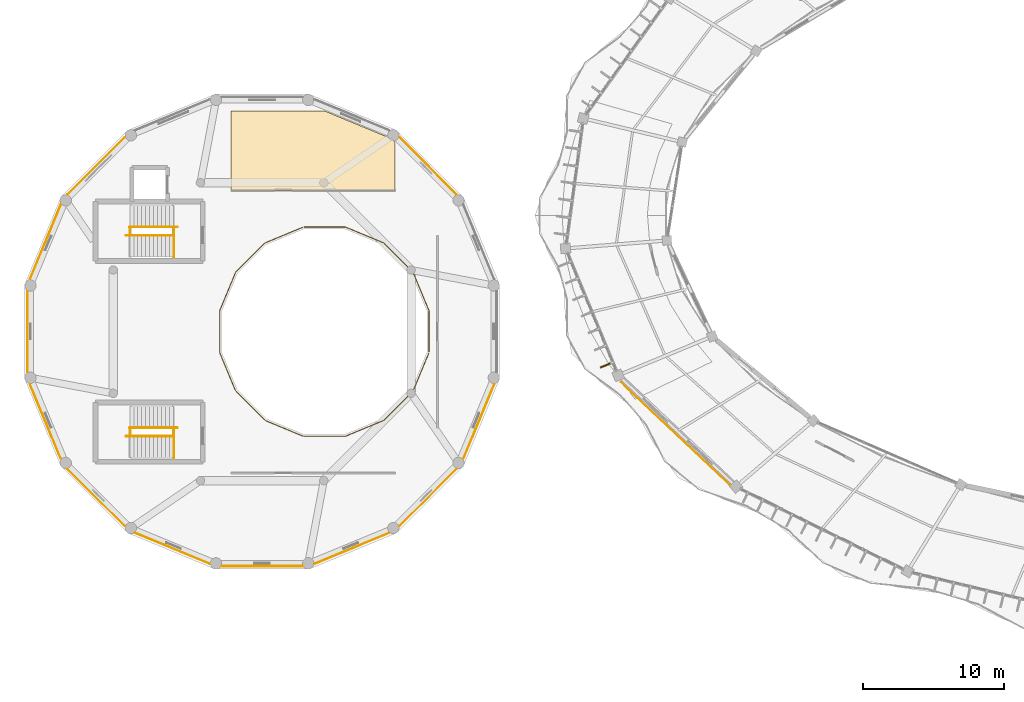
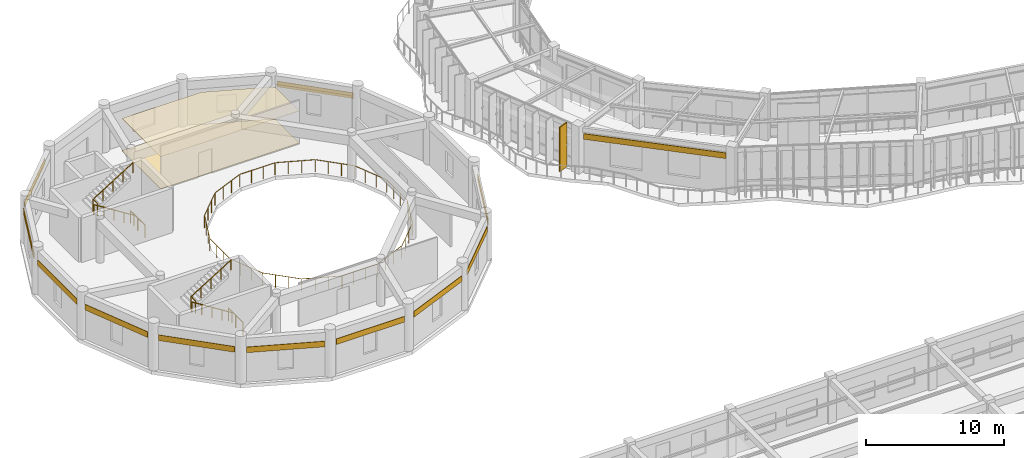
# One storey, part 131 of 138: 14 coverings, 9 railings, 1 shading device.
"""IFC4 building model written with IfcOpenShell, lengths in metres."""

from ifc_helpers import new_model, si_unit, direction, frame, origin, origin_2d, place, context, subcontext, project, spatial, polyline, rectangle, circle, outline, extrude, material, layer, layer_set, type_object, element, save


model = new_model("IFC4")

# Units and contexts
model_context = context("Model", 3, precision=1e-05, world=origin(), true_north=direction((0.0, 1.0)))
body_context = subcontext(model_context, "Body", "Model", "MODEL_VIEW")
ifc_project = project(units=[si_unit("LENGTHUNIT", "METRE"), si_unit("AREAUNIT", "SQUARE_METRE"), si_unit("VOLUMEUNIT", "CUBIC_METRE"), si_unit("PLANEANGLEUNIT", "RADIAN"), si_unit("MASSUNIT", "GRAM", prefix="KILO"), si_unit("THERMODYNAMICTEMPERATUREUNIT", "KELVIN"), si_unit("POWERUNIT", "WATT")], contexts=[model_context])

# Site, building, storey
site_placement = place(None, origin())
site = spatial("IfcSite", under=ifc_project, at=site_placement, CompositionType="ELEMENT")
building_placement = place(site_placement, origin())
building = spatial("IfcBuilding", under=site, at=building_placement, Name="Darbajah Civic Hall", CompositionType="ELEMENT")
storey_placement = place(building_placement, frame((0.0, 0.0, 9.60009765625)))
storey = spatial("IfcBuildingStorey", under=building, at=storey_placement, Name="L02", CompositionType="ELEMENT", Elevation=9.60009765625)

# Railings
ifc_material_1 = material(Name="Brushed Bronze Stainless Steel", Category="steel")
railing_type_1 = type_object("IfcRailingType", Name="Brushed Bronze Handrail", PredefinedType="HANDRAIL", material=ifc_material_1)
railing_1_placement = place(storey_placement, frame((10.52001953125, 88.39990234375, 0.1748046875)))
element("IfcRailing", 1, at=railing_1_placement, inside=storey, type_object=railing_type_1, Name="ST04 L02 lower flight handrail", PredefinedType="HANDRAIL", context=body_context, shape_type="SweptSolid", body=[
    extrude(circle(Radius=0.02392578125, at=origin_2d()), frame((-0.023193359375, 0.0, 0.910400390625), z_axis=(-0.845944288966, 0.0, 0.533271281775), x_axis=(0.0, -1.0, 0.0)), (0.0, 0.0, 1.0), 3.91748046875),
    extrude(circle(Radius=0.02099609375, at=origin_2d()), origin(), (0.0, 0.0, 1.0), 0.867919921875),
    extrude(circle(Radius=0.02099609375, at=origin_2d()), frame((-0.840087890625, 0.0, 0.529541015625)), (0.0, 0.0, 1.0), 0.867919921875),
    extrude(circle(Radius=0.02099609375, at=origin_2d()), frame((-1.68017578125, 0.0, 1.05908203125)), (0.0, 0.0, 1.0), 0.867919921875),
    extrude(circle(Radius=0.02099609375, at=origin_2d()), frame((-2.52001953125, 0.0, 1.588623046875)), (0.0, 0.0, 1.0), 0.867919921875),
    extrude(circle(Radius=0.02099609375, at=origin_2d()), frame((-3.360107421875, 0.0, 2.1181640625)), (0.0, 0.0, 1.0), 0.867919921875),
])
railing_2_placement = place(storey_placement, frame((7.43994140625, 89.0, 2.27490234375)))
element("IfcRailing", 2, at=railing_2_placement, inside=storey, type_object=railing_type_1, Name="ST04 L02 upper flight handrail", PredefinedType="HANDRAIL", context=body_context, shape_type="SweptSolid", body=[
    extrude(circle(Radius=0.02392578125, at=origin_2d()), frame((0.023193359375, 0.0, 0.910400390625), z_axis=(0.845944288966, 0.0, 0.533271281775), x_axis=(0.0, 1.0, 0.0)), (0.0, 0.0, 1.0), 3.91748046875),
    extrude(circle(Radius=0.02099609375, at=origin_2d()), origin(), (0.0, 0.0, 1.0), 0.867919921875),
    extrude(circle(Radius=0.02099609375, at=origin_2d()), frame((0.840087890625, 0.0, 0.529541015625)), (0.0, 0.0, 1.0), 0.867919921875),
    extrude(circle(Radius=0.02099609375, at=origin_2d()), frame((1.68017578125, 0.0, 1.05908203125)), (0.0, 0.0, 1.0), 0.867919921875),
    extrude(circle(Radius=0.02099609375, at=origin_2d()), frame((2.52001953125, 0.0, 1.588623046875)), (0.0, 0.0, 1.0), 0.867919921875),
    extrude(circle(Radius=0.02099609375, at=origin_2d()), frame((3.360107421875, 0.0, 2.1181640625)), (0.0, 0.0, 1.0), 0.867919921875),
])
railing_3_placement = place(storey_placement, frame((10.52001953125, 74.199951171875, 0.1748046875)))
element("IfcRailing", 3, at=railing_3_placement, inside=storey, type_object=railing_type_1, Name="ST05 L02 lower flight handrail", PredefinedType="HANDRAIL", context=body_context, shape_type="SweptSolid", body=[
    extrude(circle(Radius=0.02392578125, at=origin_2d()), frame((-0.023193359375, 0.0, 0.910400390625), z_axis=(-0.845944288966, 0.0, 0.533271281775), x_axis=(0.0, -1.0, 0.0)), (0.0, 0.0, 1.0), 3.91748046875),
    extrude(circle(Radius=0.02099609375, at=origin_2d()), origin(), (0.0, 0.0, 1.0), 0.867919921875),
    extrude(circle(Radius=0.02099609375, at=origin_2d()), frame((-0.840087890625, 0.0, 0.529541015625)), (0.0, 0.0, 1.0), 0.867919921875),
    extrude(circle(Radius=0.02099609375, at=origin_2d()), frame((-1.68017578125, 0.0, 1.05908203125)), (0.0, 0.0, 1.0), 0.867919921875),
    extrude(circle(Radius=0.02099609375, at=origin_2d()), frame((-2.52001953125, 0.0, 1.588623046875)), (0.0, 0.0, 1.0), 0.867919921875),
    extrude(circle(Radius=0.02099609375, at=origin_2d()), frame((-3.360107421875, 0.0, 2.1181640625)), (0.0, 0.0, 1.0), 0.867919921875),
])
railing_4_placement = place(storey_placement, frame((7.43994140625, 74.800048828125, 2.27490234375)))
element("IfcRailing", 4, at=railing_4_placement, inside=storey, type_object=railing_type_1, Name="ST05 L02 upper flight handrail", PredefinedType="HANDRAIL", context=body_context, shape_type="SweptSolid", body=[
    extrude(circle(Radius=0.02392578125, at=origin_2d()), frame((0.023193359375, 0.0, 0.910400390625), z_axis=(0.845944288966, 0.0, 0.533271281775), x_axis=(0.0, 1.0, 0.0)), (0.0, 0.0, 1.0), 3.91748046875),
    extrude(circle(Radius=0.02099609375, at=origin_2d()), origin(), (0.0, 0.0, 1.0), 0.867919921875),
    extrude(circle(Radius=0.02099609375, at=origin_2d()), frame((0.840087890625, 0.0, 0.529541015625)), (0.0, 0.0, 1.0), 0.867919921875),
    extrude(circle(Radius=0.02099609375, at=origin_2d()), frame((1.68017578125, 0.0, 1.05908203125)), (0.0, 0.0, 1.0), 0.867919921875),
    extrude(circle(Radius=0.02099609375, at=origin_2d()), frame((2.52001953125, 0.0, 1.588623046875)), (0.0, 0.0, 1.0), 0.867919921875),
    extrude(circle(Radius=0.02099609375, at=origin_2d()), frame((3.360107421875, 0.0, 2.1181640625)), (0.0, 0.0, 1.0), 0.867919921875),
])

# Covering
ifc_material_2 = material(Name="Honed Qatari Limestone Terrazzo", Category="masonry")
ifc_layer_1 = layer(ifc_material_2, 0.030029296875, Name="Honed Qatari Limestone Terrazzo")
ifc_layer_set_1 = layer_set([ifc_layer_1], Name="Honed Qatari Limestone Terrazzo")
covering_type_1 = type_object("IfcCoveringType", Name="Honed Qatari Limestone Terrazzo Flooring", PredefinedType="FLOORING", material=ifc_layer_set_1)
covering_1_placement = place(storey_placement, origin())
element("IfcCovering", 5, at=covering_1_placement, inside=storey, type_object=covering_type_1, Name="L02 stone terrazzo flooring L02-V2-02", PredefinedType="FLOORING", context=body_context, shape_type="SweptSolid", body=[
    extrude(outline(polyline([(14.60009765625, 97.199951171875), (21.235595703125, 97.199951171875), (25.925537109375, 95.25732421875), (26.199951171875, 94.98291015625), (26.199951171875, 91.60009765625), (14.60009765625, 91.60009765625), (14.60009765625, 97.199951171875)])), origin(), (0.0, 0.0, 1.0), 0.02978515625),
])

# Railings
ifc_material_3 = material(Name="Brushed Bronze and Laminated Safety Glass", Category="glass")
railing_type_2 = type_object("IfcRailingType", Name="Interior Guard Balustrade", PredefinedType="BALUSTRADE", material=ifc_material_3)
railing_5_placement = place(storey_placement, frame((10.570068359375, 86.85009765625, 0.0)))
element("IfcRailing", 6, at=railing_5_placement, inside=storey, type_object=railing_type_2, Name="ST04 L02 stair-well edge guard", PredefinedType="BALUSTRADE", context=body_context, shape_type="SweptSolid", body=[
    extrude(circle(Radius=0.02392578125, at=origin_2d()), frame((0.0, 0.02734375, 1.09619140625), z_axis=(0.0, 1.0, 0.0), x_axis=(-1.0, 0.0, 0.0)), (0.0, 0.0, 1.0), 2.09521484375),
    extrude(circle(Radius=0.02099609375, at=origin_2d()), origin(), (0.0, 0.0, 1.0), 1.068115234375),
    extrude(circle(Radius=0.02099609375, at=origin_2d()), frame((0.0, 1.074951171875, 0.0)), (0.0, 0.0, 1.0), 1.068115234375),
    extrude(circle(Radius=0.02099609375, at=origin_2d()), frame((0.0, 2.14990234375, 0.0)), (0.0, 0.0, 1.0), 1.068115234375),
])
railing_6_placement = place(storey_placement, frame((7.4599609375, 88.39990234375, 2.099853515625)))
element("IfcRailing", 7, at=railing_6_placement, inside=storey, type_object=railing_type_2, Name="ST04 L02 landing well guard", PredefinedType="BALUSTRADE", context=body_context, shape_type="SweptSolid", body=[
    extrude(circle(Radius=0.02392578125, at=origin_2d()), frame((0.0, 0.02734375, 1.09619140625), z_axis=(0.0, 1.0, 0.0), x_axis=(-1.0, 0.0, 0.0)), (0.0, 0.0, 1.0), 0.54541015625),
    extrude(circle(Radius=0.02099609375, at=origin_2d()), origin(), (0.0, 0.0, 1.0), 1.068115234375),
    extrude(circle(Radius=0.02099609375, at=origin_2d()), frame((0.0, 0.60009765625, 0.0)), (0.0, 0.0, 1.0), 1.068115234375),
])
railing_7_placement = place(storey_placement, frame((10.570068359375, 72.64990234375, 0.0)))
element("IfcRailing", 8, at=railing_7_placement, inside=storey, type_object=railing_type_2, Name="ST05 L02 stair-well edge guard", PredefinedType="BALUSTRADE", context=body_context, shape_type="SweptSolid", body=[
    extrude(circle(Radius=0.02392578125, at=origin_2d()), frame((0.0, 0.02734375, 1.09619140625), z_axis=(0.0, 1.0, 0.0), x_axis=(-1.0, 0.0, 0.0)), (0.0, 0.0, 1.0), 2.095458984375),
    extrude(circle(Radius=0.02099609375, at=origin_2d()), origin(), (0.0, 0.0, 1.0), 1.068115234375),
    extrude(circle(Radius=0.02099609375, at=origin_2d()), frame((0.0, 1.0751953125, 0.0)), (0.0, 0.0, 1.0), 1.068115234375),
    extrude(circle(Radius=0.02099609375, at=origin_2d()), frame((0.0, 2.150146484375, 0.0)), (0.0, 0.0, 1.0), 1.068115234375),
])
railing_8_placement = place(storey_placement, frame((7.4599609375, 74.199951171875, 2.099853515625)))
element("IfcRailing", 9, at=railing_8_placement, inside=storey, type_object=railing_type_2, Name="ST05 L02 landing well guard", PredefinedType="BALUSTRADE", context=body_context, shape_type="SweptSolid", body=[
    extrude(circle(Radius=0.02392578125, at=origin_2d()), frame((0.0, 0.02734375, 1.09619140625), z_axis=(0.0, 1.0, 0.0), x_axis=(-1.0, 0.0, 0.0)), (0.0, 0.0, 1.0), 0.54541015625),
    extrude(circle(Radius=0.02099609375, at=origin_2d()), origin(), (0.0, 0.0, 1.0), 1.068115234375),
    extrude(circle(Radius=0.02099609375, at=origin_2d()), frame((0.0, 0.60009765625, 0.0)), (0.0, 0.0, 1.0), 1.068115234375),
])
railing_9_placement = place(storey_placement, frame((28.60498046875, 83.072998046875, 0.0)))
element("IfcRailing", 10, at=railing_9_placement, inside=storey, type_object=railing_type_2, Name="L02 Council Chamber gallery balustrade", PredefinedType="BALUSTRADE", context=body_context, shape_type="SweptSolid", body=[
    extrude(circle(Radius=0.02392578125, at=origin_2d()), frame((-0.010498046875, 0.025146484375, 1.09619140625), z_axis=(-0.382707992455, 0.923869359006, 0.0), x_axis=(-0.923869359006, -0.382707992455, 0.0)), (0.0, 0.0, 1.0), 2.891357421875),
    extrude(circle(Radius=0.02392578125, at=origin_2d()), frame((-1.146728515625, 2.740966796875, 1.09619140625), z_axis=(-0.707106781187, 0.707106781187, 0.0), x_axis=(-0.707106781187, -0.707106781187, 0.0)), (0.0, 0.0, 1.0), 2.89111328125),
    extrude(circle(Radius=0.02392578125, at=origin_2d()), frame((-3.235595703125, 4.815185546875, 1.09619140625), z_axis=(-0.923898658852, 0.382637254029, 0.0), x_axis=(-0.382637254029, -0.923898658852, 0.0)), (0.0, 0.0, 1.0), 2.891357421875),
    extrude(circle(Radius=0.02392578125, at=origin_2d()), frame((-5.95947265625, 5.931884765625, 1.09619140625), z_axis=(-1.0, 0.0, 0.0), x_axis=(0.0, -1.0, 0.0)), (0.0, 0.0, 1.0), 2.89111328125),
    extrude(circle(Radius=0.02392578125, at=origin_2d()), frame((-8.903076171875, 5.92138671875, 1.09619140625), z_axis=(-0.923898658852, -0.382637254029, 0.0), x_axis=(0.382637254029, -0.923898658852, 0.0)), (0.0, 0.0, 1.0), 2.891357421875),
    extrude(circle(Radius=0.02392578125, at=origin_2d()), frame((-11.618896484375, 4.785400390625, 1.09619140625), z_axis=(-0.707106781187, -0.707106781187, 0.0), x_axis=(0.707106781187, -0.707106781187, 0.0)), (0.0, 0.0, 1.0), 2.89111328125),
    extrude(circle(Radius=0.02392578125, at=origin_2d()), frame((-13.693115234375, 2.696533203125, 1.09619140625), z_axis=(-0.382637254029, -0.923898658852, 0.0), x_axis=(0.923898658852, -0.382637254029, 0.0)), (0.0, 0.0, 1.0), 2.891357421875),
    extrude(circle(Radius=0.02392578125, at=origin_2d()), frame((-14.809814453125, -0.02734375, 1.09619140625), z_axis=(0.0, -1.0, 0.0), x_axis=(1.0, 0.0, 0.0)), (0.0, 0.0, 1.0), 2.89111328125),
    extrude(circle(Radius=0.02392578125, at=origin_2d()), frame((-14.79931640625, -2.970947265625, 1.09619140625), z_axis=(0.382637254029, -0.923898658852, 0.0), x_axis=(0.923898658852, 0.382637254029, 0.0)), (0.0, 0.0, 1.0), 2.891357421875),
    extrude(circle(Radius=0.02392578125, at=origin_2d()), frame((-13.663330078125, -5.686767578125, 1.09619140625), z_axis=(0.707106781187, -0.707106781187, 0.0), x_axis=(0.707106781187, 0.707106781187, 0.0)), (0.0, 0.0, 1.0), 2.89111328125),
    extrude(circle(Radius=0.02392578125, at=origin_2d()), frame((-11.574462890625, -7.760986328125, 1.09619140625), z_axis=(0.923869359006, -0.382707992455, 0.0), x_axis=(0.382707992455, 0.923869359006, 0.0)), (0.0, 0.0, 1.0), 2.891357421875),
    extrude(circle(Radius=0.02392578125, at=origin_2d()), frame((-8.8505859375, -8.8779296875, 1.09619140625), z_axis=(1.0, 0.0, 0.0), x_axis=(0.0, 1.0, 0.0)), (0.0, 0.0, 1.0), 2.89111328125),
    extrude(circle(Radius=0.02392578125, at=origin_2d()), frame((-5.906982421875, -8.867431640625, 1.09619140625), z_axis=(0.923869359006, 0.382707992455, 0.0), x_axis=(-0.382707992455, 0.923869359006, 0.0)), (0.0, 0.0, 1.0), 2.891357421875),
    extrude(circle(Radius=0.02392578125, at=origin_2d()), frame((-3.191162109375, -7.731201171875, 1.09619140625), z_axis=(0.707106781187, 0.707106781187, 0.0), x_axis=(-0.707106781187, 0.707106781187, 0.0)), (0.0, 0.0, 1.0), 2.89111328125),
    extrude(circle(Radius=0.02392578125, at=origin_2d()), frame((-1.116943359375, -5.642333984375, 1.09619140625), z_axis=(0.382707992455, 0.923869359006, 0.0), x_axis=(-0.923869359006, 0.382707992455, 0.0)), (0.0, 0.0, 1.0), 2.891357421875),
    extrude(circle(Radius=0.02392578125, at=origin_2d()), frame((0.0, -2.91845703125, 1.09619140625), z_axis=(0.0, 1.0, 0.0), x_axis=(-1.0, 0.0, 0.0)), (0.0, 0.0, 1.0), 2.89111328125),
    extrude(circle(Radius=0.02099609375, at=origin_2d()), origin(), (0.0, 0.0, 1.0), 1.068115234375),
    extrude(circle(Radius=0.02099609375, at=origin_2d()), frame((-0.375732421875, 0.9072265625, 0.0)), (0.0, 0.0, 1.0), 1.068115234375),
    extrude(circle(Radius=0.02099609375, at=origin_2d()), frame((-0.751708984375, 1.814453125, 0.0)), (0.0, 0.0, 1.0), 1.068115234375),
    extrude(circle(Radius=0.02099609375, at=origin_2d()), frame((-1.12744140625, 2.7216796875, 0.0)), (0.0, 0.0, 1.0), 1.068115234375),
    extrude(circle(Radius=0.02099609375, at=origin_2d()), frame((-1.82177734375, 3.416015625, 0.0)), (0.0, 0.0, 1.0), 1.068115234375),
    extrude(circle(Radius=0.02099609375, at=origin_2d()), frame((-2.51611328125, 4.1103515625, 0.0)), (0.0, 0.0, 1.0), 1.068115234375),
    extrude(circle(Radius=0.02099609375, at=origin_2d()), frame((-3.21044921875, 4.8046875, 0.0)), (0.0, 0.0, 1.0), 1.068115234375),
    extrude(circle(Radius=0.02099609375, at=origin_2d()), frame((-4.11767578125, 5.180419921875, 0.0)), (0.0, 0.0, 1.0), 1.068115234375),
    extrude(circle(Radius=0.02099609375, at=origin_2d()), frame((-5.02490234375, 5.55615234375, 0.0)), (0.0, 0.0, 1.0), 1.068115234375),
    extrude(circle(Radius=0.02099609375, at=origin_2d()), frame((-5.93212890625, 5.931884765625, 0.0)), (0.0, 0.0, 1.0), 1.068115234375),
    extrude(circle(Radius=0.02099609375, at=origin_2d()), frame((-6.9140625, 5.931884765625, 0.0)), (0.0, 0.0, 1.0), 1.068115234375),
    extrude(circle(Radius=0.02099609375, at=origin_2d()), frame((-7.89599609375, 5.931884765625, 0.0)), (0.0, 0.0, 1.0), 1.068115234375),
    extrude(circle(Radius=0.02099609375, at=origin_2d()), frame((-8.8779296875, 5.931884765625, 0.0)), (0.0, 0.0, 1.0), 1.068115234375),
    extrude(circle(Radius=0.02099609375, at=origin_2d()), frame((-9.78515625, 5.55615234375, 0.0)), (0.0, 0.0, 1.0), 1.068115234375),
    extrude(circle(Radius=0.02099609375, at=origin_2d()), frame((-10.6923828125, 5.180419921875, 0.0)), (0.0, 0.0, 1.0), 1.068115234375),
    extrude(circle(Radius=0.02099609375, at=origin_2d()), frame((-11.599609375, 4.8046875, 0.0)), (0.0, 0.0, 1.0), 1.068115234375),
    extrude(circle(Radius=0.02099609375, at=origin_2d()), frame((-12.2939453125, 4.1103515625, 0.0)), (0.0, 0.0, 1.0), 1.068115234375),
    extrude(circle(Radius=0.02099609375, at=origin_2d()), frame((-12.98828125, 3.416015625, 0.0)), (0.0, 0.0, 1.0), 1.068115234375),
    extrude(circle(Radius=0.02099609375, at=origin_2d()), frame((-13.6826171875, 2.7216796875, 0.0)), (0.0, 0.0, 1.0), 1.068115234375),
    extrude(circle(Radius=0.02099609375, at=origin_2d()), frame((-14.058349609375, 1.814453125, 0.0)), (0.0, 0.0, 1.0), 1.068115234375),
    extrude(circle(Radius=0.02099609375, at=origin_2d()), frame((-14.43408203125, 0.9072265625, 0.0)), (0.0, 0.0, 1.0), 1.068115234375),
    extrude(circle(Radius=0.02099609375, at=origin_2d()), frame((-14.809814453125, 0.0, 0.0)), (0.0, 0.0, 1.0), 1.068115234375),
    extrude(circle(Radius=0.02099609375, at=origin_2d()), frame((-14.809814453125, -0.98193359375, 0.0)), (0.0, 0.0, 1.0), 1.068115234375),
    extrude(circle(Radius=0.02099609375, at=origin_2d()), frame((-14.809814453125, -1.9638671875, 0.0)), (0.0, 0.0, 1.0), 1.068115234375),
    extrude(circle(Radius=0.02099609375, at=origin_2d()), frame((-14.809814453125, -2.94580078125, 0.0)), (0.0, 0.0, 1.0), 1.068115234375),
    extrude(circle(Radius=0.02099609375, at=origin_2d()), frame((-14.43408203125, -3.85302734375, 0.0)), (0.0, 0.0, 1.0), 1.068115234375),
    extrude(circle(Radius=0.02099609375, at=origin_2d()), frame((-14.058349609375, -4.76025390625, 0.0)), (0.0, 0.0, 1.0), 1.068115234375),
    extrude(circle(Radius=0.02099609375, at=origin_2d()), frame((-13.6826171875, -5.66748046875, 0.0)), (0.0, 0.0, 1.0), 1.068115234375),
    extrude(circle(Radius=0.02099609375, at=origin_2d()), frame((-12.98828125, -6.36181640625, 0.0)), (0.0, 0.0, 1.0), 1.068115234375),
    extrude(circle(Radius=0.02099609375, at=origin_2d()), frame((-12.2939453125, -7.05615234375, 0.0)), (0.0, 0.0, 1.0), 1.068115234375),
    extrude(circle(Radius=0.02099609375, at=origin_2d()), frame((-11.599609375, -7.75048828125, 0.0)), (0.0, 0.0, 1.0), 1.068115234375),
    extrude(circle(Radius=0.02099609375, at=origin_2d()), frame((-10.6923828125, -8.126220703125, 0.0)), (0.0, 0.0, 1.0), 1.068115234375),
    extrude(circle(Radius=0.02099609375, at=origin_2d()), frame((-9.78515625, -8.502197265625, 0.0)), (0.0, 0.0, 1.0), 1.068115234375),
    extrude(circle(Radius=0.02099609375, at=origin_2d()), frame((-8.8779296875, -8.8779296875, 0.0)), (0.0, 0.0, 1.0), 1.068115234375),
    extrude(circle(Radius=0.02099609375, at=origin_2d()), frame((-7.89599609375, -8.8779296875, 0.0)), (0.0, 0.0, 1.0), 1.068115234375),
    extrude(circle(Radius=0.02099609375, at=origin_2d()), frame((-6.9140625, -8.8779296875, 0.0)), (0.0, 0.0, 1.0), 1.068115234375),
    extrude(circle(Radius=0.02099609375, at=origin_2d()), frame((-5.93212890625, -8.8779296875, 0.0)), (0.0, 0.0, 1.0), 1.068115234375),
    extrude(circle(Radius=0.02099609375, at=origin_2d()), frame((-5.02490234375, -8.502197265625, 0.0)), (0.0, 0.0, 1.0), 1.068115234375),
    extrude(circle(Radius=0.02099609375, at=origin_2d()), frame((-4.11767578125, -8.126220703125, 0.0)), (0.0, 0.0, 1.0), 1.068115234375),
    extrude(circle(Radius=0.02099609375, at=origin_2d()), frame((-3.21044921875, -7.75048828125, 0.0)), (0.0, 0.0, 1.0), 1.068115234375),
    extrude(circle(Radius=0.02099609375, at=origin_2d()), frame((-2.51611328125, -7.05615234375, 0.0)), (0.0, 0.0, 1.0), 1.068115234375),
    extrude(circle(Radius=0.02099609375, at=origin_2d()), frame((-1.82177734375, -6.36181640625, 0.0)), (0.0, 0.0, 1.0), 1.068115234375),
    extrude(circle(Radius=0.02099609375, at=origin_2d()), frame((-1.12744140625, -5.66748046875, 0.0)), (0.0, 0.0, 1.0), 1.068115234375),
    extrude(circle(Radius=0.02099609375, at=origin_2d()), frame((-0.751708984375, -4.76025390625, 0.0)), (0.0, 0.0, 1.0), 1.068115234375),
    extrude(circle(Radius=0.02099609375, at=origin_2d()), frame((-0.375732421875, -3.85302734375, 0.0)), (0.0, 0.0, 1.0), 1.068115234375),
    extrude(circle(Radius=0.02099609375, at=origin_2d()), frame((0.0, -2.94580078125, 0.0)), (0.0, 0.0, 1.0), 1.068115234375),
    extrude(circle(Radius=0.02099609375, at=origin_2d()), frame((0.0, -1.9638671875, 0.0)), (0.0, 0.0, 1.0), 1.068115234375),
    extrude(circle(Radius=0.02099609375, at=origin_2d()), frame((0.0, -0.98193359375, 0.0)), (0.0, 0.0, 1.0), 1.068115234375),
])

# Coverings
ifc_material_4 = material(Name="Qatari Desert Limestone Ashlar", Category="masonry")
ifc_layer_2 = layer(ifc_material_4, 0.044921875, Name="Qatari Desert Limestone Ashlar")
ifc_layer_set_2 = layer_set([ifc_layer_2], Name="Qatari Desert Limestone Ashlar")
covering_type_2 = type_object("IfcCoveringType", Name="Limestone Facade Cladding", PredefinedType="CLADDING", material=ifc_layer_set_2)
covering_2_placement = place(storey_placement, frame((0.0, 0.0, 3.02001953125)))
element("IfcCovering", 11, at=covering_2_placement, inside=storey, type_object=covering_type_2, Name="L02 stone frieze cladding EW-V1O-L02-11", PredefinedType="CLADDING", context=body_context, shape_type="SweptSolid", body=[
    extrude(outline(polyline([(42.17578125, 78.039306640625), (49.893310546875, 70.754638671875), (49.862548828125, 70.721923828125), (42.14501953125, 78.006591796875), (42.17578125, 78.039306640625)])), origin(), (0.0, 0.0, 1.0), 0.5),
])
covering_3_placement = place(storey_placement, frame((0.0, 0.0, 2.6298828125)))
element("IfcCovering", 12, at=covering_3_placement, inside=storey, type_object=covering_type_2, Name="L02 stone frieze cladding EW-V2-L02-01", PredefinedType="CLADDING", context=body_context, shape_type="SweptSolid", body=[
    extrude(outline(polyline([(30.536376953125, 91.297119140625), (26.497314453125, 95.33642578125), (26.529052734375, 95.3681640625), (30.568115234375, 91.3291015625), (30.536376953125, 91.297119140625)])), origin(), (0.0, 0.0, 1.0), 0.5),
])
covering_4_placement = place(storey_placement, frame((0.0, 0.0, 2.6298828125)))
element("IfcCovering", 13, at=covering_4_placement, inside=storey, type_object=covering_type_2, Name="L02 stone frieze cladding EW-V2-L02-05", PredefinedType="CLADDING", context=body_context, shape_type="SweptSolid", body=[
    extrude(outline(polyline([(7.102783203125, 95.33642578125), (3.063720703125, 91.297119140625), (3.03173828125, 91.3291015625), (7.071044921875, 95.3681640625), (7.102783203125, 95.33642578125)])), origin(), (0.0, 0.0, 1.0), 0.5),
])
covering_5_placement = place(storey_placement, frame((0.0, 0.0, 2.6298828125)))
element("IfcCovering", 14, at=covering_5_placement, inside=storey, type_object=covering_type_2, Name="L02 stone frieze cladding EW-V2-L02-06", PredefinedType="CLADDING", context=body_context, shape_type="SweptSolid", body=[
    extrude(outline(polyline([(2.58447265625, 90.579833984375), (0.398193359375, 85.30224609375), (0.356689453125, 85.319580078125), (2.542724609375, 90.596923828125), (2.58447265625, 90.579833984375)])), origin(), (0.0, 0.0, 1.0), 0.5),
])
covering_6_placement = place(storey_placement, frame((0.0, 0.0, 2.6298828125)))
element("IfcCovering", 15, at=covering_6_placement, inside=storey, type_object=covering_type_2, Name="L02 stone frieze cladding EW-V2-L02-07", PredefinedType="CLADDING", context=body_context, shape_type="SweptSolid", body=[
    extrude(outline(polyline([(0.22998046875, 84.456298828125), (0.22998046875, 78.743896484375), (0.18505859375, 78.743896484375), (0.18505859375, 84.456298828125), (0.22998046875, 84.456298828125)])), origin(), (0.0, 0.0, 1.0), 0.5),
])
covering_7_placement = place(storey_placement, frame((0.0, 0.0, 2.6298828125)))
element("IfcCovering", 16, at=covering_7_placement, inside=storey, type_object=covering_type_2, Name="L02 stone frieze cladding EW-V2-L02-08", PredefinedType="CLADDING", context=body_context, shape_type="SweptSolid", body=[
    extrude(outline(polyline([(0.398193359375, 77.897705078125), (2.58447265625, 72.6201171875), (2.542724609375, 72.60302734375), (0.356689453125, 77.880615234375), (0.398193359375, 77.897705078125)])), origin(), (0.0, 0.0, 1.0), 0.5),
])
covering_8_placement = place(storey_placement, frame((0.0, 0.0, 2.6298828125)))
element("IfcCovering", 17, at=covering_8_placement, inside=storey, type_object=covering_type_2, Name="L02 stone frieze cladding EW-V2-L02-09", PredefinedType="CLADDING", context=body_context, shape_type="SweptSolid", body=[
    extrude(outline(polyline([(3.063720703125, 71.90283203125), (7.102783203125, 67.863525390625), (7.071044921875, 67.831787109375), (3.03173828125, 71.87109375), (3.063720703125, 71.90283203125)])), origin(), (0.0, 0.0, 1.0), 0.5),
])
covering_9_placement = place(storey_placement, frame((0.0, 0.0, 2.6298828125)))
element("IfcCovering", 18, at=covering_9_placement, inside=storey, type_object=covering_type_2, Name="L02 stone frieze cladding EW-V2-L02-10", PredefinedType="CLADDING", context=body_context, shape_type="SweptSolid", body=[
    extrude(outline(polyline([(7.8203125, 67.384521484375), (13.09765625, 65.1982421875), (13.08056640625, 65.15673828125), (7.802978515625, 67.3427734375), (7.8203125, 67.384521484375)])), origin(), (0.0, 0.0, 1.0), 0.5),
])
covering_10_placement = place(storey_placement, frame((0.0, 0.0, 2.6298828125)))
element("IfcCovering", 19, at=covering_10_placement, inside=storey, type_object=covering_type_2, Name="L02 stone frieze cladding EW-V2-L02-11", PredefinedType="CLADDING", context=body_context, shape_type="SweptSolid", body=[
    extrude(outline(polyline([(13.94384765625, 65.030029296875), (19.65625, 65.030029296875), (19.65625, 64.985107421875), (13.94384765625, 64.985107421875), (13.94384765625, 65.030029296875)])), origin(), (0.0, 0.0, 1.0), 0.5),
])
covering_11_placement = place(storey_placement, frame((0.0, 0.0, 2.6298828125)))
element("IfcCovering", 20, at=covering_11_placement, inside=storey, type_object=covering_type_2, Name="L02 stone frieze cladding EW-V2-L02-12", PredefinedType="CLADDING", context=body_context, shape_type="SweptSolid", body=[
    extrude(outline(polyline([(20.502197265625, 65.1982421875), (25.77978515625, 67.384521484375), (25.797119140625, 67.3427734375), (20.51953125, 65.15673828125), (20.502197265625, 65.1982421875)])), origin(), (0.0, 0.0, 1.0), 0.5),
])
covering_12_placement = place(storey_placement, frame((0.0, 0.0, 2.6298828125)))
element("IfcCovering", 21, at=covering_12_placement, inside=storey, type_object=covering_type_2, Name="L02 stone frieze cladding EW-V2-L02-13", PredefinedType="CLADDING", context=body_context, shape_type="SweptSolid", body=[
    extrude(outline(polyline([(26.497314453125, 67.863525390625), (30.536376953125, 71.90283203125), (30.568115234375, 71.87109375), (26.529052734375, 67.831787109375), (26.497314453125, 67.863525390625)])), origin(), (0.0, 0.0, 1.0), 0.5),
])
covering_13_placement = place(storey_placement, frame((0.0, 0.0, 2.6298828125)))
element("IfcCovering", 22, at=covering_13_placement, inside=storey, type_object=covering_type_2, Name="L02 stone frieze cladding EW-V2-L02-14", PredefinedType="CLADDING", context=body_context, shape_type="SweptSolid", body=[
    extrude(outline(polyline([(31.015625, 72.6201171875), (33.20166015625, 77.897705078125), (33.243408203125, 77.880615234375), (31.05712890625, 72.60302734375), (31.015625, 72.6201171875)])), origin(), (0.0, 0.0, 1.0), 0.5),
])
ifc_material_5 = material(Name="Perforated Acoustic Gypsum Board")
ifc_layer_3 = layer(ifc_material_5, 0.02490234375, Name="Perforated Acoustic Gypsum Board")
ifc_layer_set_3 = layer_set([ifc_layer_3], Name="Perforated Acoustic Gypsum Board")
covering_type_3 = type_object("IfcCoveringType", Name="Perforated Acoustic Gypsum Ceiling", PredefinedType="CEILING", material=ifc_layer_set_3)
covering_14_placement = place(storey_placement, frame((0.0, 0.0, 2.849853515625)))
element("IfcCovering", 23, at=covering_14_placement, inside=storey, type_object=covering_type_3, Name="L02 acoustic suspended ceiling L02-V2-02", PredefinedType="CEILING", context=body_context, shape_type="SweptSolid", body=[
    extrude(outline(polyline([(14.60009765625, 97.199951171875), (21.235595703125, 97.199951171875), (25.925537109375, 95.25732421875), (26.199951171875, 94.98291015625), (26.199951171875, 91.60009765625), (14.60009765625, 91.60009765625), (14.60009765625, 97.199951171875)])), origin(), (0.0, 0.0, 1.0), 0.025146484375),
])

# Shading device
ifc_material_6 = material(Name="Bronze Anodised Aluminium and Teak Composite", Category="aluminium")
shading_device_type = type_object("IfcShadingDeviceType", Name="Vertical Bronze Timber Shading Fin", PredefinedType="USERDEFINED", material=ifc_material_6)
shading_device_placement = place(storey_placement, frame((41.124755859375, 79.233154296875, 0.0), z_axis=(0.0, 0.0, 1.0), x_axis=(-0.923612143954, -0.383328328644, 0.0)))
element("IfcShadingDevice", 24, at=shading_device_placement, inside=storey, type_object=shading_device_type, Name="L02 vertical shading fin VF-10-7", ObjectType="VERTICAL FIN", PredefinedType="USERDEFINED", context=body_context, shape_type="SweptSolid", body=[
    extrude(rectangle(XDim=0.85009765625, YDim=0.090087890625, at=origin_2d()), origin(), (0.0, 0.0, 1.0), 3.919921875),
])

save(model, "model.ifc")
